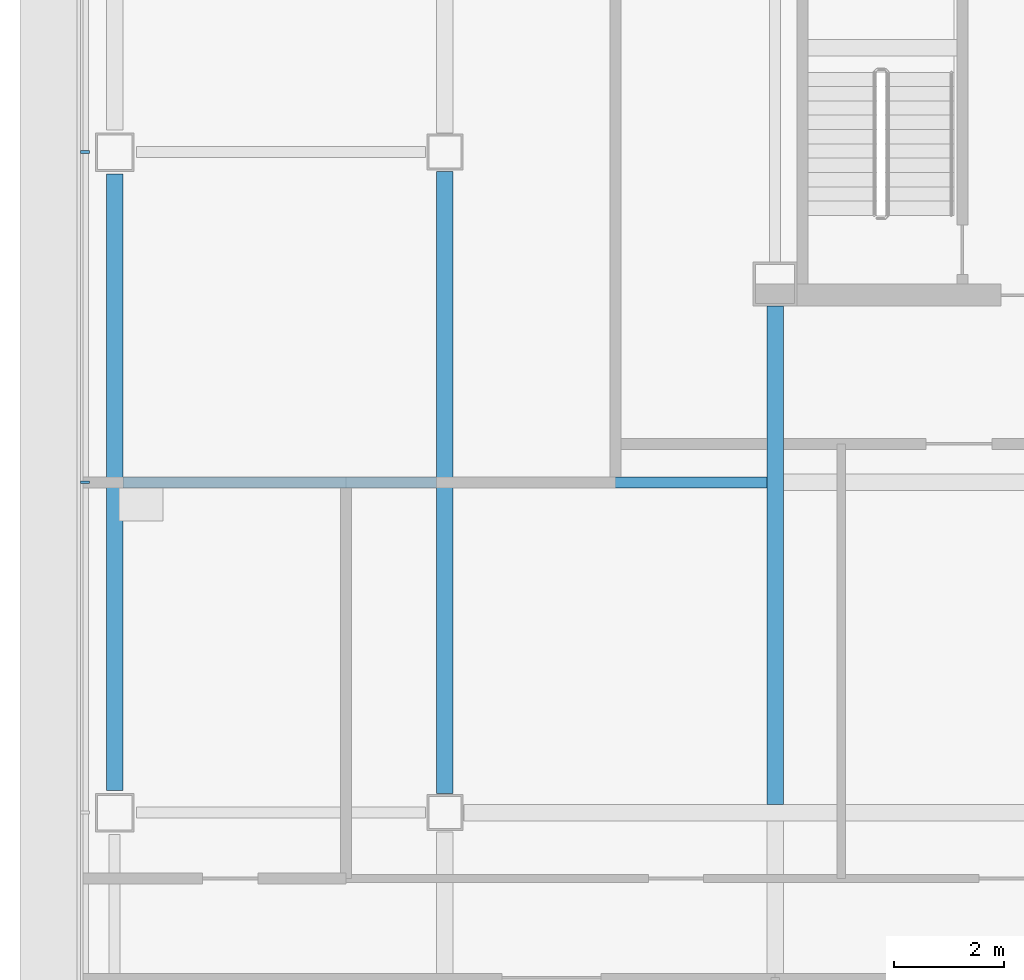
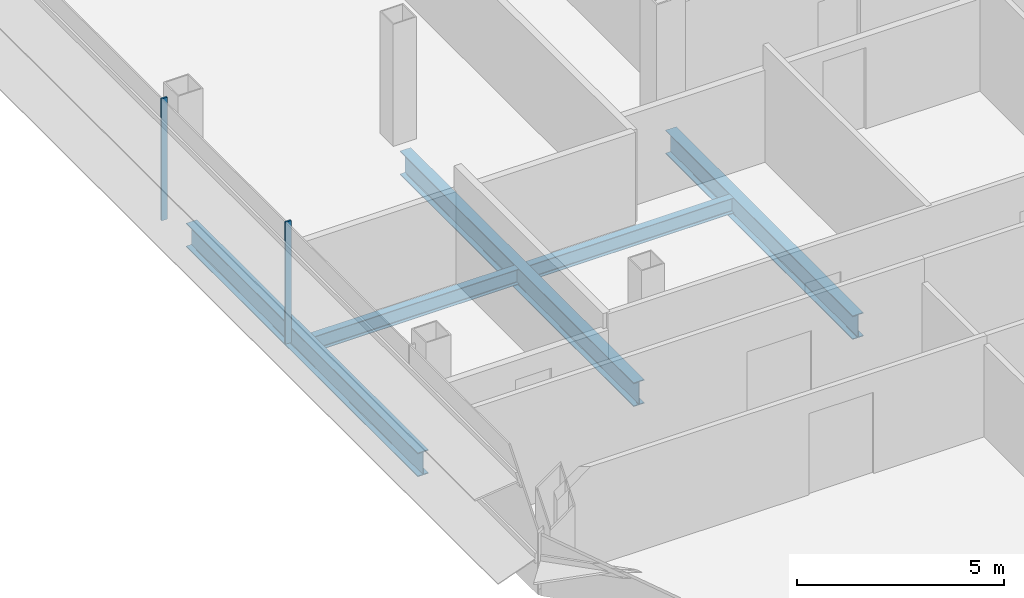
# One storey, part 4 of 26: 5 beams, 2 members, 1 element without a shape of its own.
"""IFC4 building model written with IfcOpenShell, lengths in metres."""

from ifc_helpers import new_model, si_unit, direction, frame, origin, origin_2d, place, context, subcontext, project, spatial, rectangle, i_section, extrude, material, material_profile, profile_set, type_object, element, aggregate, save


model = new_model("IFC4")

# Units and contexts
model_context = context("Model", 3, precision=1e-05, world=origin(), true_north=direction((0.0, 1.0)))
body_context = subcontext(model_context, "Body", "Model", "MODEL_VIEW")
ifc_project = project(units=[si_unit("LENGTHUNIT", "METRE"), si_unit("AREAUNIT", "SQUARE_METRE"), si_unit("VOLUMEUNIT", "CUBIC_METRE"), si_unit("PLANEANGLEUNIT", "RADIAN"), si_unit("MASSUNIT", "GRAM", prefix="KILO")], contexts=[model_context])

# Site, building, storey
site_placement = place(None, origin())
site = spatial("IfcSite", under=ifc_project, at=site_placement, CompositionType="ELEMENT")
building_placement = place(site_placement, origin())
building = spatial("IfcBuilding", under=site, at=building_placement, Name="Sorahane Residences", CompositionType="ELEMENT")
storey_placement = place(building_placement, frame((0.0, 0.0, 147.39990234375)))
storey = spatial("IfcBuildingStorey", under=building, at=storey_placement, Name="L33", CompositionType="ELEMENT", Elevation=147.39990234375)

# Curtain wall, members
ifc_material_1 = material(Name="Dark low-e glass and black anodised aluminium", Category="aluminium")
curtain_wall_type = type_object("IfcCurtainWallType", Name="Curtain wall CW-1 Typical unitised wall", PredefinedType="NOTDEFINED", material=ifc_material_1)
curtain_wall_placement = place(storey_placement, origin())
curtain_wall = element("IfcCurtainWall", 1, at=curtain_wall_placement, inside=storey, type_object=curtain_wall_type, Name="CW-1 curtain wall L33 W1", PredefinedType="NOTDEFINED")
ifc_material_2 = material(Name="Black anodised aluminium", Category="aluminium")
ifc_material_profile_1 = material_profile(ifc_material_2, rectangle(XDim=0.159912109375, YDim=0.050048828125, at=origin_2d()), Name="Curtain wall mullion CW-1 black anodised aluminium 50x160")
ifc_profile_set_1 = profile_set([ifc_material_profile_1], Name="Black anodised aluminium")
member_type = type_object("IfcMemberType", Name="Curtain wall mullion CW-1 black anodised aluminium 50x160", PredefinedType="MULLION", material=ifc_profile_set_1)
member_1_placement = place(storey_placement, frame((-6.5400390625, 24.0, -0.179931640625), z_axis=(0.0, 0.0, 1.0), x_axis=(-1.0, 0.0, 0.0)))
member_1 = element("IfcMember", 2, at=member_1_placement, type_object=member_type, Name="CW-1 mullion L33 W1.4", PredefinedType="MULLION", context=body_context, shape_type="SweptSolid", body=[
    extrude(rectangle(XDim=0.159912109375, YDim=0.050048828125, at=origin_2d()), origin(), (0.0, 0.0, 1.0), 3.60009765625),
])
member_2_placement = place(storey_placement, frame((-6.5400390625, 18.0, -0.179931640625), z_axis=(0.0, 0.0, 1.0), x_axis=(-1.0, 0.0, 0.0)))
member_2 = element("IfcMember", 3, at=member_2_placement, type_object=member_type, Name="CW-1 mullion L33 W1.5", PredefinedType="MULLION", context=body_context, shape_type="SweptSolid", body=[
    extrude(rectangle(XDim=0.159912109375, YDim=0.050048828125, at=origin_2d()), origin(), (0.0, 0.0, 1.0), 3.60009765625),
])
aggregate(curtain_wall, [member_1, member_2])

# Beams
ifc_material_3 = material(Name="Steel Q355B", Category="steel")
ifc_material_profile_2 = material_profile(ifc_material_3, i_section(OverallWidth=0.199951171875, OverallDepth=0.449951171875, WebThickness=0.009033203125, FlangeThickness=0.013916015625, FilletRadius=0.02001953125, at=origin_2d()), Name="HN 450x200x9x14")
ifc_profile_set_2 = profile_set([ifc_material_profile_2], Name="Steel Q355B")
beam_type_1 = type_object("IfcBeamType", Name="Steel floor beam HN 450x200x9x14 Q355B", PredefinedType="BEAM", material=ifc_profile_set_2)
for number, where, z_axis, x_axis, name in (
    (4, (-5.85009765625, 18.0, -0.40478515625), (1.0, 0.0, 0.0), (0.0, 1.0, 0.0), "Beam L33 078"),
    (5, (0.14990234375, 18.0, -0.40478515625), (1.0, 0.0, 0.0), (0.0, 1.0, 0.0), "Beam L33 079"),
):
    element("IfcBeam", number, at=place(storey_placement, frame(where, z_axis=z_axis, x_axis=x_axis)), inside=storey, type_object=beam_type_1, Name=name, PredefinedType="BEAM", context=body_context, shape_type="SweptSolid", body=[
        extrude(i_section(OverallWidth=0.199951171875, OverallDepth=0.449951171875, WebThickness=0.009033203125, FlangeThickness=0.013916015625, FilletRadius=0.02001953125, at=origin_2d()), origin(), (0.0, 0.0, 1.0), 5.7001953125),
    ])
ifc_material_4 = material(Name="Steel Q355B", Category="steel")
ifc_material_profile_3 = material_profile(ifc_material_4, i_section(OverallWidth=0.300048828125, OverallDepth=0.699951171875, WebThickness=0.012939453125, FlangeThickness=0.02392578125, FilletRadius=0.028076171875, at=origin_2d()), Name="HN 700x300x13x24")
ifc_profile_set_3 = profile_set([ifc_material_profile_3], Name="Steel Q355B")
beam_type_2 = type_object("IfcBeamType", Name="Steel floor beam HN 700x300x13x24 Q355B", PredefinedType="BEAM", material=ifc_profile_set_3)
beam_1_placement = place(storey_placement, frame((-6.0, 12.39990234375, -0.52978515625), z_axis=(0.0, 1.0, 0.0), x_axis=(-1.0, 0.0, 0.0)))
element("IfcBeam", 6, at=beam_1_placement, inside=storey, type_object=beam_type_2, Name="Beam L33 021", PredefinedType="BEAM", context=body_context, shape_type="SweptSolid", body=[
    extrude(i_section(OverallWidth=0.300048828125, OverallDepth=0.699951171875, WebThickness=0.012939453125, FlangeThickness=0.02392578125, FilletRadius=0.028076171875, at=origin_2d()), origin(), (0.0, 0.0, 1.0), 11.2001953125),
])
beam_2_placement = place(storey_placement, frame((0.0, 12.35009765625, -0.52978515625), z_axis=(0.0, 1.0, 0.0), x_axis=(-1.0, 0.0, 0.0)))
element("IfcBeam", 7, at=beam_2_placement, inside=storey, type_object=beam_type_2, Name="Beam L33 025", PredefinedType="BEAM", context=body_context, shape_type="SweptSolid", body=[
    extrude(i_section(OverallWidth=0.300048828125, OverallDepth=0.699951171875, WebThickness=0.012939453125, FlangeThickness=0.02392578125, FilletRadius=0.028076171875, at=origin_2d()), origin(), (0.0, 0.0, 1.0), 11.2998046875),
])
beam_3_placement = place(storey_placement, frame((6.0, 12.14990234375, -0.52978515625), z_axis=(0.0, 1.0, 0.0), x_axis=(-1.0, 0.0, 0.0)))
element("IfcBeam", 8, at=beam_3_placement, inside=storey, type_object=beam_type_2, Name="Beam L33 029", PredefinedType="BEAM", context=body_context, shape_type="SweptSolid", body=[
    extrude(i_section(OverallWidth=0.300048828125, OverallDepth=0.699951171875, WebThickness=0.012939453125, FlangeThickness=0.02392578125, FilletRadius=0.028076171875, at=origin_2d()), origin(), (0.0, 0.0, 1.0), 9.050048828125),
])

save(model, "model.ifc")
